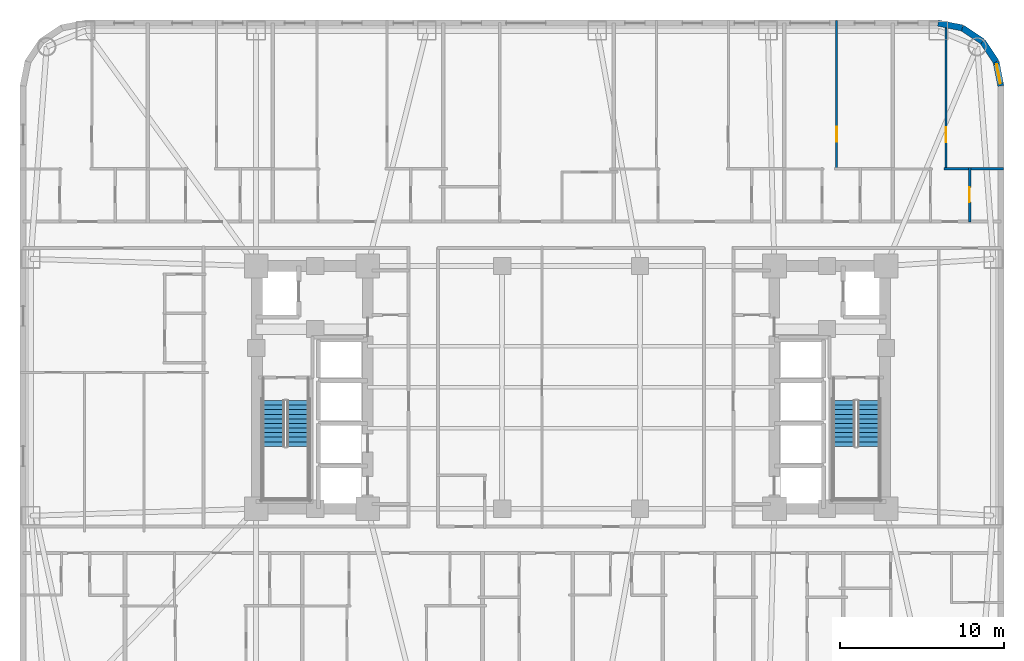
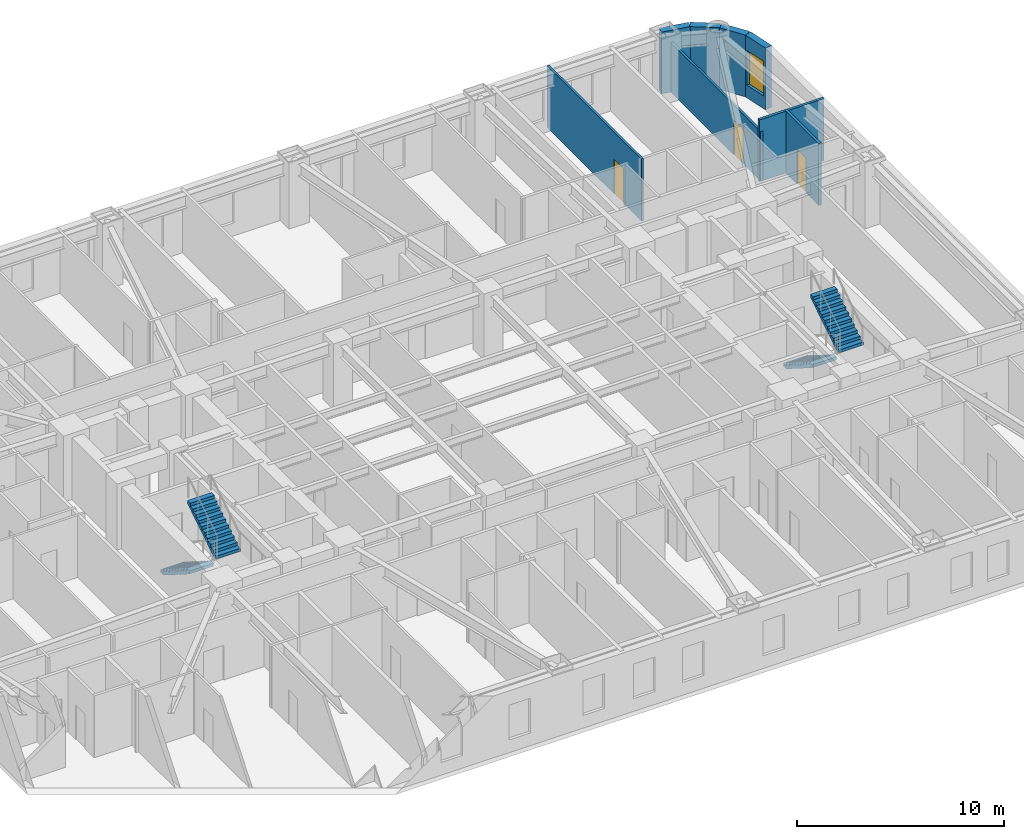
# One storey, part 9 of 11: 8 walls, 4 stair flights, 3 doors, 1 window, 4 openings, 2 elements without a shape of their own.
"""IFC4 building model written with IfcOpenShell, lengths in metres."""

from ifc_helpers import new_model, si_unit, direction, frame, frame_2d, origin, place, context, subcontext, project, spatial, polyline, rectangle, outline, extrude, material, layer, layer_set, type_object, element, fill, aggregate, save


model = new_model("IFC4")

# Units and contexts
model_context = context("Model", 3, precision=1e-05, world=origin(), true_north=direction((0.0, 1.0)))
body_context = subcontext(model_context, "Body", "Model", "MODEL_VIEW")
ifc_project = project(units=[si_unit("LENGTHUNIT", "METRE"), si_unit("AREAUNIT", "SQUARE_METRE"), si_unit("VOLUMEUNIT", "CUBIC_METRE"), si_unit("PLANEANGLEUNIT", "RADIAN"), si_unit("MASSUNIT", "GRAM", prefix="KILO")], contexts=[model_context])

# Site, building, storey
site_placement = place(None, origin())
site = spatial("IfcSite", under=ifc_project, at=site_placement, CompositionType="ELEMENT")
building_placement = place(site_placement, origin())
building = spatial("IfcBuilding", under=site, at=building_placement, Name="Voryun Gate Residences", CompositionType="ELEMENT")
storey_placement = place(building_placement, frame((0.0, 0.0, 45.5)))
storey = spatial("IfcBuildingStorey", under=building, at=storey_placement, Name="L10", CompositionType="ELEMENT", Elevation=45.5)

# Walls
ifc_material_1 = material(Name="Granite masonry", Category="masonry")
ifc_layer_1 = layer(ifc_material_1, 0.3798828125, Name="W_EXT_GRANITE_380")
ifc_layer_set_1 = layer_set([ifc_layer_1], Name="Granite masonry")
wall_type_1 = type_object("IfcWallType", Name="W_EXT_GRANITE_380", PredefinedType="ELEMENTEDWALL", material=ifc_layer_set_1)
wall_1_placement = place(storey_placement, frame((22.38134765625, 22.2099609375, 0.0), z_axis=(0.0, 0.0, 1.0), x_axis=(0.980786132421, -0.195086038585, 0.0)))
element("IfcWall", 1, at=wall_1_placement, inside=storey, type_object=wall_type_1, Name="Exterior wall WEXT-L10-12", PredefinedType="ELEMENTEDWALL", context=body_context, shape_type="SweptSolid", body=[
    extrude(rectangle(XDim=1.504150390625, YDim=0.3798828125, at=frame_2d((0.751953125, 0.0))), origin(), (0.0, 0.0, 1.0), 3.64990234375),
])
for number, where, z_axis, x_axis, name in (
    (2, (23.856689453125, 21.91650390625, 0.0), (0.0, 0.0, 1.0), (0.831392092774, -0.555686231674, 0.0), "Exterior wall WEXT-L10-13"),
    (3, (25.09130859375, 21.09130859375, 0.0), (0.0, 0.0, 1.0), (0.555686231674, -0.831392092774, 0.0), "Exterior wall WEXT-L10-14"),
):
    element("IfcWall", number, at=place(storey_placement, frame(where, z_axis=z_axis, x_axis=x_axis)), inside=storey, type_object=wall_type_1, Name=name, PredefinedType="ELEMENTEDWALL", context=body_context, shape_type="SweptSolid", body=[
        extrude(rectangle(XDim=1.485107421875, YDim=0.3798828125, at=frame_2d((0.74267578125, 0.0))), origin(), (0.0, 0.0, 1.0), 3.64990234375),
    ])

# Wall, opening, window
wall_2_placement = place(storey_placement, frame((25.91650390625, 19.856689453125, 0.0), z_axis=(0.0, 0.0, 1.0), x_axis=(0.195086038585, -0.980786132421, 0.0)))
wall_2 = element("IfcWall", 4, at=wall_2_placement, inside=storey, type_object=wall_type_1, Name="Exterior wall WEXT-L10-15", PredefinedType="ELEMENTEDWALL", context=body_context, shape_type="SweptSolid", body=[
    extrude(rectangle(XDim=1.504150390625, YDim=0.3798828125, at=frame_2d((0.751953125, 0.0))), origin(), (0.0, 0.0, 1.0), 3.64990234375),
])
opening_1_placement = place(wall_2_placement, frame((0.152099609375, 0.0, 0.75)))
opening_1 = element("IfcOpeningElement", 5, at=opening_1_placement, cuts=wall_2, Name="Opening WN6", PredefinedType="OPENING", context=body_context, shape_type="SweptSolid", body=[
    extrude(rectangle(XDim=1.199951171875, YDim=2.050048828125, at=frame_2d((0.60009765625, 1.02490234375))), frame((0.0, 0.199951171875, 0.0), z_axis=(0.0, -1.0, 0.0), x_axis=(1.0, 0.0, 0.0)), (0.0, 0.0, 1.0), 0.39990234375),
])
ifc_material_2 = material(Name="Laminated low-E glass", Category="glass")
window_type = type_object("IfcWindowType", Name="WN_POD_SLOT_1200", PartitioningType="SINGLE_PANEL", PredefinedType="WINDOW", material=ifc_material_2)
window_placement = place(opening_1_placement, origin())
window = element("IfcWindow", 6, at=window_placement, inside=storey, type_object=window_type, Name="Window WN-L10-DWFIX-14", OverallHeight=2.050048828125, OverallWidth=1.199951171875, PartitioningType="SINGLE_PANEL", PredefinedType="WINDOW", context=body_context, shape_type="SweptSolid", body=[
    extrude(rectangle(XDim=1.199951171875, YDim=2.050048828125, at=frame_2d((0.60009765625, 1.02490234375))), frame((0.0, 0.030029296875, 0.0), z_axis=(0.0, -1.0, 0.0), x_axis=(1.0, 0.0, 0.0)), (0.0, 0.0, 1.0), 0.06005859375),
])
fill(opening_1, window)

# Wall, opening, door
ifc_material_3 = material(Name="Gypsum acoustic partition")
ifc_layer_2 = layer(ifc_material_3, 0.125, Name="W_UNIT_PART_125")
ifc_layer_set_2 = layer_set([ifc_layer_2], Name="Gypsum acoustic partition")
wall_type_2 = type_object("IfcWallType", Name="W_UNIT_PART_125", PredefinedType="PARTITIONING", material=ifc_layer_set_2)
wall_3_placement = place(storey_placement, frame((16.198974609375, 13.239990234375, 0.0), z_axis=(0.0, 0.0, 1.0), x_axis=(0.0, 1.0, 0.0)))
wall_3 = element("IfcWall", 7, at=wall_3_placement, inside=storey, type_object=wall_type_2, Name="Partition wall WP-L10-N6-OVR", PredefinedType="PARTITIONING", context=body_context, shape_type="SweptSolid", body=[
    extrude(rectangle(XDim=9.1201171875, YDim=0.125, at=frame_2d((4.56005859375, 0.0))), origin(), (0.0, 0.0, 1.0), 3.64990234375),
])
opening_2_placement = place(wall_3_placement, frame((1.73876953125, 0.0, 0.0)))
opening_2 = element("IfcOpeningElement", 8, at=opening_2_placement, cuts=wall_3, Name="Opening D-INT-2", PredefinedType="OPENING", context=body_context, shape_type="SweptSolid", body=[
    extrude(rectangle(XDim=0.89990234375, YDim=2.050048828125, at=frame_2d((0.449951171875, 1.02490234375))), frame((0.0, 0.072509765625, 0.0), z_axis=(0.0, -1.0, 0.0), x_axis=(1.0, 0.0, 0.0)), (0.0, 0.0, 1.0), 0.14501953125),
])
ifc_material_4 = material(Name="Architectural oak veneer")
door_type = type_object("IfcDoorType", Name="DR_INT_BATH_900", OperationType="NOTDEFINED", PredefinedType="DOOR", material=ifc_material_4)
door_1_placement = place(opening_2_placement, origin())
door_1 = element("IfcDoor", 9, at=door_1_placement, inside=storey, type_object=door_type, Name="Door DR-L10-N6-DMB", OperationType="SINGLE_SWING_RIGHT", OverallHeight=2.050048828125, OverallWidth=0.89990234375, PredefinedType="DOOR", context=body_context, shape_type="SweptSolid", body=[
    extrude(rectangle(XDim=0.89990234375, YDim=2.050048828125, at=frame_2d((0.449951171875, 1.02490234375))), frame((0.0, 0.02490234375, 0.0), z_axis=(0.0, -1.0, 0.0), x_axis=(1.0, 0.0, 0.0)), (0.0, 0.0, 1.0), 0.050048828125),
])
fill(opening_2, door_1)

wall_4_placement = place(storey_placement, frame((22.867919921875, 13.239990234375, 0.0), z_axis=(0.0, 0.0, 1.0), x_axis=(0.0, 1.0, 0.0)))
wall_4 = element("IfcWall", 10, at=wall_4_placement, inside=storey, type_object=wall_type_2, Name="Partition wall WP-L10-N7-OVR", PredefinedType="PARTITIONING", context=body_context, shape_type="SweptSolid", body=[
    extrude(rectangle(XDim=9.026123046875, YDim=0.125, at=frame_2d((4.51318359375, 0.0))), origin(), (0.0, 0.0, 1.0), 2.93994140625),
])
opening_3_placement = place(wall_4_placement, frame((1.71630859375, 0.0, 0.0)))
opening_3 = element("IfcOpeningElement", 11, at=opening_3_placement, cuts=wall_4, Name="Opening D-INT-2", PredefinedType="OPENING", context=body_context, shape_type="SweptSolid", body=[
    extrude(rectangle(XDim=0.89990234375, YDim=2.050048828125, at=frame_2d((0.449951171875, 1.02490234375))), frame((0.0, 0.072509765625, 0.0), z_axis=(0.0, -1.0, 0.0), x_axis=(1.0, 0.0, 0.0)), (0.0, 0.0, 1.0), 0.14501953125),
])
door_2_placement = place(opening_3_placement, origin())
door_2 = element("IfcDoor", 12, at=door_2_placement, inside=storey, type_object=door_type, Name="Door DR-L10-N7-DMB", OperationType="SINGLE_SWING_RIGHT", OverallHeight=2.050048828125, OverallWidth=0.89990234375, PredefinedType="DOOR", context=body_context, shape_type="SweptSolid", body=[
    extrude(rectangle(XDim=0.89990234375, YDim=2.050048828125, at=frame_2d((0.449951171875, 1.02490234375))), frame((0.0, 0.02490234375, 0.0), z_axis=(0.0, -1.0, 0.0), x_axis=(1.0, 0.0, 0.0)), (0.0, 0.0, 1.0), 0.050048828125),
])
fill(opening_3, door_2)

# Wall
ifc_material_5 = material(Name="Gypsum moisture-resistant partition")
ifc_layer_3 = layer(ifc_material_5, 0.14990234375, Name="W_WET_PLUMB_150")
ifc_layer_set_3 = layer_set([ifc_layer_3], Name="Gypsum moisture-resistant partition")
wall_type_3 = type_object("IfcWallType", Name="W_WET_PLUMB_150", PredefinedType="PLUMBINGWALL", material=ifc_layer_set_3)
wall_5_placement = place(storey_placement, frame((22.748046875, 13.320068359375, 0.0), z_axis=(0.0, 0.0, 1.0), x_axis=(1.0, 0.0, 0.0)))
element("IfcWall", 13, at=wall_5_placement, inside=storey, type_object=wall_type_3, Name="Partition wall WP-L10-N7-HZB", PredefinedType="PLUMBINGWALL", context=body_context, shape_type="SweptSolid", body=[
    extrude(rectangle(XDim=3.612060546875, YDim=0.14990234375, at=frame_2d((1.80615234375, 0.0))), origin(), (0.0, 0.0, 1.0), 3.64990234375),
])

# Wall, opening, door
wall_6_placement = place(storey_placement, frame((24.298095703125, 10.080078125, 0.0), z_axis=(0.0, 0.0, 1.0), x_axis=(0.0, 1.0, 0.0)))
wall_6 = element("IfcWall", 14, at=wall_6_placement, inside=storey, type_object=wall_type_3, Name="Partition wall WP-L10-N7-IVB", PredefinedType="PLUMBINGWALL", context=body_context, shape_type="SweptSolid", body=[
    extrude(rectangle(XDim=3.31982421875, YDim=0.14990234375, at=frame_2d((1.659912109375, 0.0))), origin(), (0.0, 0.0, 1.0), 3.64990234375),
])
opening_4_placement = place(wall_6_placement, frame((1.2099609375, 0.0, 0.0)))
opening_4 = element("IfcOpeningElement", 15, at=opening_4_placement, cuts=wall_6, Name="Opening D-INT-2", PredefinedType="OPENING", context=body_context, shape_type="SweptSolid", body=[
    extrude(rectangle(XDim=0.89990234375, YDim=2.050048828125, at=frame_2d((0.449951171875, 1.02490234375))), frame((0.0, 0.0849609375, 0.0), z_axis=(0.0, -1.0, 0.0), x_axis=(1.0, 0.0, 0.0)), (0.0, 0.0, 1.0), 0.169921875),
])
door_3_placement = place(opening_4_placement, origin())
door_3 = element("IfcDoor", 16, at=door_3_placement, inside=storey, type_object=door_type, Name="Door DR-L10-N7-DB", OperationType="SINGLE_SWING_RIGHT", OverallHeight=2.050048828125, OverallWidth=0.89990234375, PredefinedType="DOOR", context=body_context, shape_type="SweptSolid", body=[
    extrude(rectangle(XDim=0.89990234375, YDim=2.050048828125, at=frame_2d((0.449951171875, 1.02490234375))), frame((0.0, 0.02490234375, 0.0), z_axis=(0.0, -1.0, 0.0), x_axis=(1.0, 0.0, 0.0)), (0.0, 0.0, 1.0), 0.050048828125),
])
fill(opening_4, door_3)

# Stair, stair flights
ifc_material_6 = material(Name="Concrete C40/50", Category="concrete")
stair_type = type_object("IfcStairType", Name="STR_CORE_DOGLEG_1350", PredefinedType="HALF_TURN_STAIR", material=ifc_material_6)
stair_1_placement = place(storey_placement, origin())
stair_1 = element("IfcStair", 17, at=stair_1_placement, inside=storey, type_object=stair_type, Name="L10 Special Escape Stair ST-W1", PredefinedType="HALF_TURN_STAIR")
ifc_material_7 = material(Name="Concrete C40/50", Category="concrete")
stair_flight_type = type_object("IfcStairFlightType", Name="FLT_CORE_1350", PredefinedType="STRAIGHT", material=ifc_material_7)
stair_flight_1_placement = place(storey_placement, frame((-18.14990234375, -0.800048828125, 0.0), z_axis=(0.0, 0.0, 1.0), x_axis=(0.0, -1.0, 0.0)))
stair_flight_1 = element("IfcStairFlight", 18, at=stair_flight_1_placement, type_object=stair_flight_type, Name="ST-W1 flight 1", NumberOfRisers=11, NumberOfTreads=10, PredefinedType="STRAIGHT", RiserHeight=0.177272727, TreadLength=0.28, context=body_context, shape_type="SweptSolid", body=[
    extrude(outline(polyline([(0.0, 0.0), (0.0, 0.17724609375), (0.280029296875, 0.17724609375), (0.280029296875, 0.3544921875), (0.56005859375, 0.3544921875), (0.56005859375, 0.53173828125), (0.840087890625, 0.53173828125), (0.840087890625, 0.708984375), (1.1201171875, 0.708984375), (1.1201171875, 0.886474609375), (1.39990234375, 0.886474609375), (1.39990234375, 1.063720703125), (1.679931640625, 1.063720703125), (1.679931640625, 1.240966796875), (1.9599609375, 1.240966796875), (1.9599609375, 1.418212890625), (2.239990234375, 1.418212890625), (2.239990234375, 1.595458984375), (2.52001953125, 1.595458984375), (2.52001953125, 1.772705078125), (2.800048828125, 1.772705078125), (2.800048828125, 1.949951171875), (2.800048828125, 1.59521484375), (0.2802734375, 0.0), (0.0, 0.0)])), frame((0.0, 0.675048828125, 0.0), z_axis=(0.0, -1.0, 0.0), x_axis=(1.0, 0.0, 0.0)), (0.0, 0.0, 1.0), 1.35009765625),
])
stair_flight_2_placement = place(storey_placement, frame((-16.64990234375, -3.60009765625, 1.949951171875), z_axis=(0.0, 0.0, 1.0), x_axis=(0.0, 1.0, 0.0)))
stair_flight_2 = element("IfcStairFlight", 19, at=stair_flight_2_placement, type_object=stair_flight_type, Name="ST-W1 flight 2", NumberOfRisers=11, NumberOfTreads=10, PredefinedType="STRAIGHT", RiserHeight=0.177272727, TreadLength=0.28, context=body_context, shape_type="SweptSolid", body=[
    extrude(outline(polyline([(0.0, 0.0), (0.0, 0.17724609375), (0.280029296875, 0.17724609375), (0.280029296875, 0.3544921875), (0.56005859375, 0.3544921875), (0.56005859375, 0.53173828125), (0.840087890625, 0.53173828125), (0.840087890625, 0.708984375), (1.1201171875, 0.708984375), (1.1201171875, 0.886474609375), (1.39990234375, 0.886474609375), (1.39990234375, 1.063720703125), (1.679931640625, 1.063720703125), (1.679931640625, 1.240966796875), (1.9599609375, 1.240966796875), (1.9599609375, 1.418212890625), (2.239990234375, 1.418212890625), (2.239990234375, 1.595458984375), (2.52001953125, 1.595458984375), (2.52001953125, 1.772705078125), (2.800048828125, 1.772705078125), (2.800048828125, 1.949951171875), (2.800048828125, 1.59521484375), (0.2802734375, 0.0), (0.0, 0.0)])), frame((0.0, 0.675048828125, 0.0), z_axis=(0.0, -1.0, 0.0), x_axis=(1.0, 0.0, 0.0)), (0.0, 0.0, 1.0), 1.35009765625),
])
aggregate(stair_1, [stair_flight_1, stair_flight_2])

stair_2_placement = place(storey_placement, origin())
stair_2 = element("IfcStair", 20, at=stair_2_placement, inside=storey, type_object=stair_type, Name="L10 Special Escape Stair ST-E1", PredefinedType="HALF_TURN_STAIR")
stair_flight_3_placement = place(storey_placement, frame((16.64990234375, -0.800048828125, 0.0), z_axis=(0.0, 0.0, 1.0), x_axis=(0.0, -1.0, 0.0)))
stair_flight_3 = element("IfcStairFlight", 21, at=stair_flight_3_placement, type_object=stair_flight_type, Name="ST-E1 flight 1", NumberOfRisers=11, NumberOfTreads=10, PredefinedType="STRAIGHT", RiserHeight=0.177272727, TreadLength=0.28, context=body_context, shape_type="SweptSolid", body=[
    extrude(outline(polyline([(0.0, 0.0), (0.0, 0.17724609375), (0.280029296875, 0.17724609375), (0.280029296875, 0.3544921875), (0.56005859375, 0.3544921875), (0.56005859375, 0.53173828125), (0.840087890625, 0.53173828125), (0.840087890625, 0.708984375), (1.1201171875, 0.708984375), (1.1201171875, 0.886474609375), (1.39990234375, 0.886474609375), (1.39990234375, 1.063720703125), (1.679931640625, 1.063720703125), (1.679931640625, 1.240966796875), (1.9599609375, 1.240966796875), (1.9599609375, 1.418212890625), (2.239990234375, 1.418212890625), (2.239990234375, 1.595458984375), (2.52001953125, 1.595458984375), (2.52001953125, 1.772705078125), (2.800048828125, 1.772705078125), (2.800048828125, 1.949951171875), (2.800048828125, 1.59521484375), (0.2802734375, 0.0), (0.0, 0.0)])), frame((0.0, 0.675048828125, 0.0), z_axis=(0.0, -1.0, 0.0), x_axis=(1.0, 0.0, 0.0)), (0.0, 0.0, 1.0), 1.35009765625),
])
stair_flight_4_placement = place(storey_placement, frame((18.14990234375, -3.60009765625, 1.949951171875), z_axis=(0.0, 0.0, 1.0), x_axis=(0.0, 1.0, 0.0)))
stair_flight_4 = element("IfcStairFlight", 22, at=stair_flight_4_placement, type_object=stair_flight_type, Name="ST-E1 flight 2", NumberOfRisers=11, NumberOfTreads=10, PredefinedType="STRAIGHT", RiserHeight=0.177272727, TreadLength=0.28, context=body_context, shape_type="SweptSolid", body=[
    extrude(outline(polyline([(0.0, 0.0), (0.0, 0.17724609375), (0.280029296875, 0.17724609375), (0.280029296875, 0.3544921875), (0.56005859375, 0.3544921875), (0.56005859375, 0.53173828125), (0.840087890625, 0.53173828125), (0.840087890625, 0.708984375), (1.1201171875, 0.708984375), (1.1201171875, 0.886474609375), (1.39990234375, 0.886474609375), (1.39990234375, 1.063720703125), (1.679931640625, 1.063720703125), (1.679931640625, 1.240966796875), (1.9599609375, 1.240966796875), (1.9599609375, 1.418212890625), (2.239990234375, 1.418212890625), (2.239990234375, 1.595458984375), (2.52001953125, 1.595458984375), (2.52001953125, 1.772705078125), (2.800048828125, 1.772705078125), (2.800048828125, 1.949951171875), (2.800048828125, 1.59521484375), (0.2802734375, 0.0), (0.0, 0.0)])), frame((0.0, 0.675048828125, 0.0), z_axis=(0.0, -1.0, 0.0), x_axis=(1.0, 0.0, 0.0)), (0.0, 0.0, 1.0), 1.35009765625),
])
aggregate(stair_2, [stair_flight_3, stair_flight_4])

save(model, "model.ifc")
